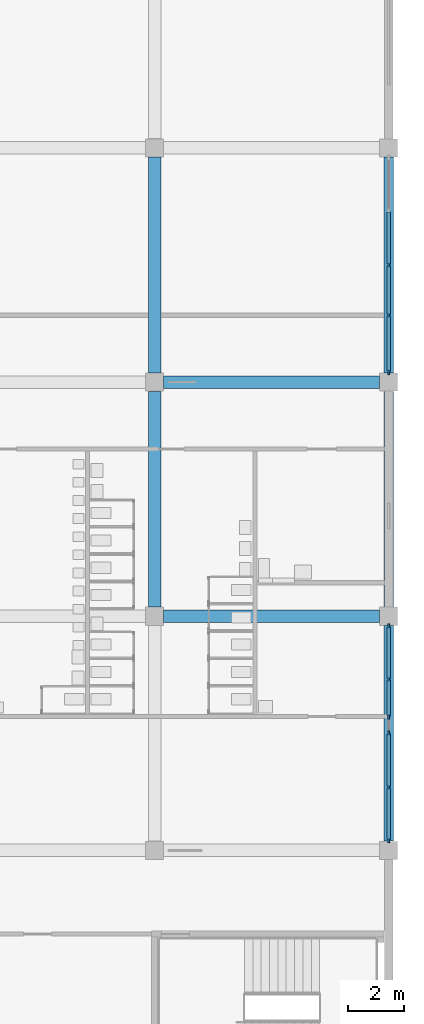
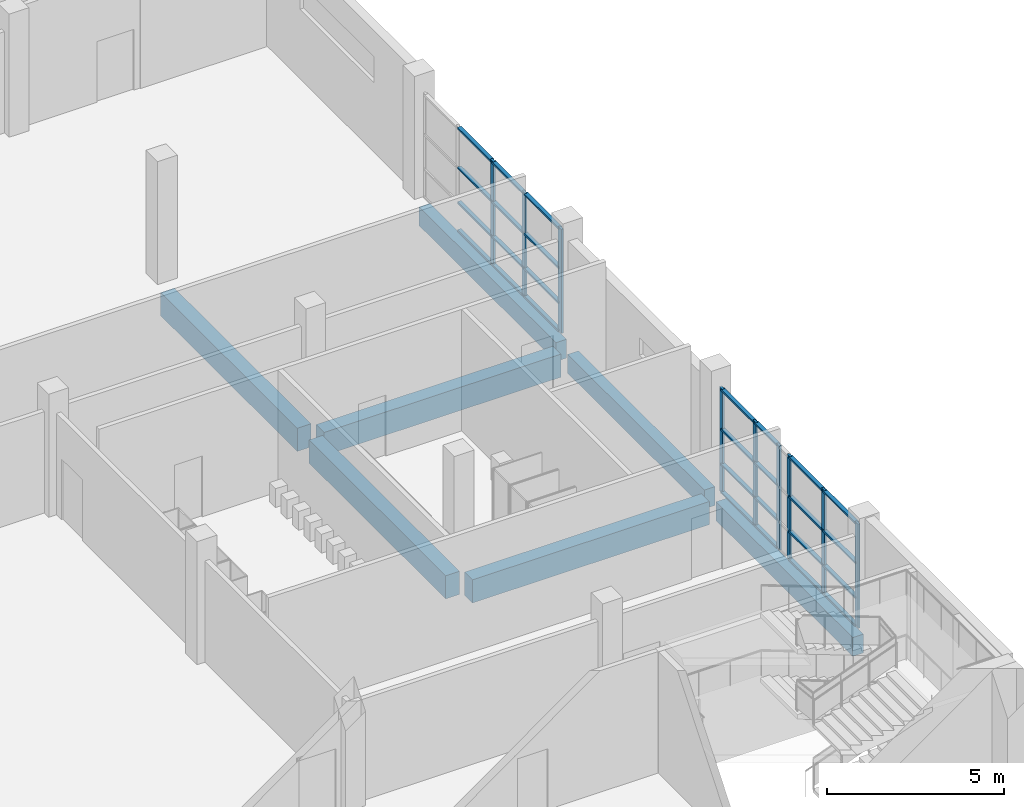
# One storey, part 7 of 64: 37 members, 7 beams, 2 elements without a shape of their own.
"""IFC4 building model written with IfcOpenShell, lengths in metres."""

from ifc_helpers import new_model, si_unit, direction, frame, origin, origin_2d, place, context, subcontext, project, spatial, rectangle, extrude, material, layer, layer_set, material_profile, profile_set, type_object, element, aggregate, save


model = new_model("IFC4")

# Units and contexts
model_context = context("Model", 3, precision=1e-05, world=origin(), true_north=direction((0.0, 1.0)))
body_context = subcontext(model_context, "Body", "Model", "MODEL_VIEW")
ifc_project = project(units=[si_unit("LENGTHUNIT", "METRE"), si_unit("AREAUNIT", "SQUARE_METRE"), si_unit("VOLUMEUNIT", "CUBIC_METRE"), si_unit("PLANEANGLEUNIT", "RADIAN"), si_unit("MASSUNIT", "GRAM", prefix="KILO")], contexts=[model_context])

# Site, building, storey
site_placement = place(None, origin())
site = spatial("IfcSite", under=ifc_project, at=site_placement, CompositionType="ELEMENT")
building_placement = place(site_placement, origin())
building = spatial("IfcBuilding", under=site, at=building_placement, Name="Rulbaag Community and Learning Centre", CompositionType="ELEMENT")
storey_placement = place(building_placement, frame((0.0, 0.0, 5.39990234375)))
storey = spatial("IfcBuildingStorey", under=building, at=storey_placement, Name="L01", CompositionType="ELEMENT", Elevation=5.39990234375)

# Beams
ifc_material_1 = material(Name="Concrete M40", Category="concrete")
ifc_material_profile_1 = material_profile(ifc_material_1, rectangle(XDim=0.449951171875, YDim=0.800048828125, at=origin_2d()), Name="RB450x800")
ifc_profile_set_1 = profile_set([ifc_material_profile_1], Name="Concrete M40")
beam_type_1 = type_object("IfcBeamType", Name="B21 Library floor beam 450x800 Concrete M40", PredefinedType="BEAM", material=ifc_profile_set_1)
beam_1_placement = place(storey_placement, frame((159.929931640625, 16.800048828125, -0.699951171875), z_axis=(1.0, 0.0, 0.0), x_axis=(0.0, 1.0, 0.0)))
element("IfcBeam", 1, at=beam_1_placement, inside=storey, type_object=beam_type_1, Name="BM-L01-20C-21C", PredefinedType="BEAM", context=body_context, shape_type="SweptSolid", body=[
    extrude(rectangle(XDim=0.449951171875, YDim=0.800048828125, at=origin_2d()), origin(), (0.0, 0.0, 1.0), 7.739990234375),
])
beam_2_placement = place(storey_placement, frame((159.60009765625, 17.1298828125, -0.699951171875), z_axis=(0.0, 1.0, 0.0), x_axis=(-1.0, 0.0, 0.0)))
element("IfcBeam", 2, at=beam_2_placement, inside=storey, type_object=beam_type_1, Name="BM-L01-20C-20D", PredefinedType="BEAM", context=body_context, shape_type="SweptSolid", body=[
    extrude(rectangle(XDim=0.449951171875, YDim=0.800048828125, at=origin_2d()), origin(), (0.0, 0.0, 1.0), 7.740234375),
])
for number, where, z_axis, x_axis, name in (
    (3, (159.929931640625, 25.199951171875, -0.699951171875), (1.0, 0.0, 0.0), (0.0, 1.0, 0.0), "BM-L01-20D-21D"),
    (4, (159.60009765625, 25.530029296875, -0.699951171875), (0.0, 1.0, 0.0), (-1.0, 0.0, 0.0), "BM-L01-20D-20E"),
):
    element("IfcBeam", number, at=place(storey_placement, frame(where, z_axis=z_axis, x_axis=x_axis)), inside=storey, type_object=beam_type_1, Name=name, PredefinedType="BEAM", context=body_context, shape_type="SweptSolid", body=[
        extrude(rectangle(XDim=0.449951171875, YDim=0.800048828125, at=origin_2d()), origin(), (0.0, 0.0, 1.0), 7.739990234375),
    ])
ifc_material_profile_2 = material_profile(ifc_material_1, rectangle(XDim=0.35009765625, YDim=0.64990234375, at=origin_2d()), Name="RB350x650")
ifc_profile_set_2 = profile_set([ifc_material_profile_2], Name="Concrete M40")
beam_type_2 = type_object("IfcBeamType", Name="B8 Hall wing edge beam 350x650 Concrete M40", PredefinedType="BEAM", material=ifc_profile_set_2)
beam_3_placement = place(storey_placement, frame((168.0, 8.72998046875, -0.625), z_axis=(0.0, 1.0, 0.0), x_axis=(-1.0, 0.0, 0.0)))
element("IfcBeam", 5, at=beam_3_placement, inside=storey, type_object=beam_type_2, Name="BM-L01-21B-21C", PredefinedType="BEAM", context=body_context, shape_type="SweptSolid", body=[
    extrude(rectangle(XDim=0.35009765625, YDim=0.64990234375, at=origin_2d()), origin(), (0.0, 0.0, 1.0), 7.739990234375),
])
beam_4_placement = place(storey_placement, frame((168.0, 17.1298828125, -0.625), z_axis=(0.0, 1.0, 0.0), x_axis=(-1.0, 0.0, 0.0)))
element("IfcBeam", 6, at=beam_4_placement, inside=storey, type_object=beam_type_2, Name="BM-L01-21C-21D", PredefinedType="BEAM", context=body_context, shape_type="SweptSolid", body=[
    extrude(rectangle(XDim=0.35009765625, YDim=0.64990234375, at=origin_2d()), origin(), (0.0, 0.0, 1.0), 7.740234375),
])
beam_5_placement = place(storey_placement, frame((168.0, 25.530029296875, -0.625), z_axis=(0.0, 1.0, 0.0), x_axis=(-1.0, 0.0, 0.0)))
element("IfcBeam", 7, at=beam_5_placement, inside=storey, type_object=beam_type_2, Name="BM-L01-21D-21E", PredefinedType="BEAM", context=body_context, shape_type="SweptSolid", body=[
    extrude(rectangle(XDim=0.35009765625, YDim=0.64990234375, at=origin_2d()), origin(), (0.0, 0.0, 1.0), 7.739990234375),
])

# Curtain wall, members
ifc_material_2 = material(Name="Aluminium", Category="aluminium")
ifc_layer = layer(ifc_material_2, 0.14990234375)
ifc_layer_set = layer_set([ifc_layer], Name="CW-L")
curtain_wall_type = type_object("IfcCurtainWallType", Name="CW-L", PredefinedType="USERDEFINED", material=ifc_layer_set)
curtain_wall_1_placement = place(storey_placement, origin())
curtain_wall_1 = element("IfcCurtainWall", 8, at=curtain_wall_1_placement, inside=storey, type_object=curtain_wall_type, Name="GL-L01-08", ObjectType="STICK CURTAIN WALL", PredefinedType="USERDEFINED")
ifc_material_3 = material(Name="Aluminium mullion", Category="aluminium")
ifc_material_profile_3 = material_profile(ifc_material_3, rectangle(XDim=0.06494140625, YDim=0.175048828125, at=origin_2d()), Name="AL 65x175")
ifc_profile_set_3 = profile_set([ifc_material_profile_3], Name="Aluminium mullion")
member_type_1 = type_object("IfcMemberType", Name="CW-L-MUL", PredefinedType="MULLION", material=ifc_profile_set_3)
member_1_placement = place(storey_placement, frame((168.0, 8.757568359375, 0.0), z_axis=(0.0, 0.0, 1.0), x_axis=(-1.0, 0.0, 0.0)))
member_1 = element("IfcMember", 9, at=member_1_placement, type_object=member_type_1, Name="GL mullion 1", PredefinedType="MULLION", context=body_context, shape_type="SweptSolid", body=[
    extrude(rectangle(XDim=0.06494140625, YDim=0.175048828125, at=origin_2d()), origin(), (0.0, 0.0, 1.0), 3.60009765625),
])
member_2_placement = place(storey_placement, frame((168.0, 10.66259765625, 0.0), z_axis=(0.0, 0.0, 1.0), x_axis=(-1.0, 0.0, 0.0)))
member_2 = element("IfcMember", 10, at=member_2_placement, type_object=member_type_1, Name="GL mullion 2", PredefinedType="MULLION", context=body_context, shape_type="SweptSolid", body=[
    extrude(rectangle(XDim=0.06494140625, YDim=0.175048828125, at=origin_2d()), origin(), (0.0, 0.0, 1.0), 3.60009765625),
])
member_3_placement = place(storey_placement, frame((168.0, 12.60009765625, 0.0), z_axis=(0.0, 0.0, 1.0), x_axis=(-1.0, 0.0, 0.0)))
member_3 = element("IfcMember", 11, at=member_3_placement, type_object=member_type_1, Name="GL mullion 3", PredefinedType="MULLION", context=body_context, shape_type="SweptSolid", body=[
    extrude(rectangle(XDim=0.06494140625, YDim=0.175048828125, at=origin_2d()), origin(), (0.0, 0.0, 1.0), 3.60009765625),
])
member_4_placement = place(storey_placement, frame((168.0, 13.199951171875, 0.0), z_axis=(0.0, 0.0, 1.0), x_axis=(-1.0, 0.0, 0.0)))
member_4 = element("IfcMember", 12, at=member_4_placement, type_object=member_type_1, Name="GL mullion 4", PredefinedType="MULLION", context=body_context, shape_type="SweptSolid", body=[
    extrude(rectangle(XDim=0.06494140625, YDim=0.175048828125, at=origin_2d()), origin(), (0.0, 0.0, 1.0), 3.60009765625),
])
member_5_placement = place(storey_placement, frame((168.0, 14.53759765625, 0.0), z_axis=(0.0, 0.0, 1.0), x_axis=(-1.0, 0.0, 0.0)))
member_5 = element("IfcMember", 13, at=member_5_placement, type_object=member_type_1, Name="GL mullion 5", PredefinedType="MULLION", context=body_context, shape_type="SweptSolid", body=[
    extrude(rectangle(XDim=0.06494140625, YDim=0.175048828125, at=origin_2d()), origin(), (0.0, 0.0, 1.0), 3.60009765625),
])
member_6_placement = place(storey_placement, frame((168.0, 16.4423828125, 0.0), z_axis=(0.0, 0.0, 1.0), x_axis=(-1.0, 0.0, 0.0)))
member_6 = element("IfcMember", 14, at=member_6_placement, type_object=member_type_1, Name="GL mullion 6", PredefinedType="MULLION", context=body_context, shape_type="SweptSolid", body=[
    extrude(rectangle(XDim=0.06494140625, YDim=0.175048828125, at=origin_2d()), origin(), (0.0, 0.0, 1.0), 3.60009765625),
])

curtain_wall_2_placement = place(storey_placement, origin())
curtain_wall_2 = element("IfcCurtainWall", 15, at=curtain_wall_2_placement, inside=storey, type_object=curtain_wall_type, Name="GL-L01-09", ObjectType="STICK CURTAIN WALL", PredefinedType="USERDEFINED")
member_7_placement = place(storey_placement, frame((168.0, 25.5576171875, 0.0), z_axis=(0.0, 0.0, 1.0), x_axis=(-1.0, 0.0, 0.0)))
member_7 = element("IfcMember", 16, at=member_7_placement, type_object=member_type_1, Name="GL mullion 1", PredefinedType="MULLION", context=body_context, shape_type="SweptSolid", body=[
    extrude(rectangle(XDim=0.06494140625, YDim=0.175048828125, at=origin_2d()), origin(), (0.0, 0.0, 1.0), 3.60009765625),
])
member_8_placement = place(storey_placement, frame((168.0, 27.60009765625, 0.0), z_axis=(0.0, 0.0, 1.0), x_axis=(-1.0, 0.0, 0.0)))
member_8 = element("IfcMember", 17, at=member_8_placement, type_object=member_type_1, Name="GL mullion 2", PredefinedType="MULLION", context=body_context, shape_type="SweptSolid", body=[
    extrude(rectangle(XDim=0.06494140625, YDim=0.175048828125, at=origin_2d()), origin(), (0.0, 0.0, 1.0), 3.60009765625),
])
member_9_placement = place(storey_placement, frame((168.0, 29.39990234375, 0.0), z_axis=(0.0, 0.0, 1.0), x_axis=(-1.0, 0.0, 0.0)))
member_9 = element("IfcMember", 18, at=member_9_placement, type_object=member_type_1, Name="GL mullion 3", PredefinedType="MULLION", context=body_context, shape_type="SweptSolid", body=[
    extrude(rectangle(XDim=0.06494140625, YDim=0.175048828125, at=origin_2d()), origin(), (0.0, 0.0, 1.0), 3.60009765625),
])

# Member
ifc_material_4 = material(Name="Aluminium transom", Category="aluminium")
ifc_material_profile_4 = material_profile(ifc_material_4, rectangle(XDim=0.125, YDim=0.06494140625, at=origin_2d()), Name="AL 65x125 T")
ifc_profile_set_4 = profile_set([ifc_material_profile_4], Name="Aluminium transom")
member_type_2 = type_object("IfcMemberType", Name="CW-L-TRN", PredefinedType="USERDEFINED", material=ifc_profile_set_4)
member_10_placement = place(storey_placement, frame((168.0, 8.7900390625, 0.03271484375), z_axis=(0.0, 1.0, 0.0), x_axis=(-1.0, 0.0, 0.0)))
member_10 = element("IfcMember", 19, at=member_10_placement, type_object=member_type_2, Name="GL transom 1.1", ObjectType="TRANSOM", PredefinedType="USERDEFINED", context=body_context, shape_type="SweptSolid", body=[
    extrude(rectangle(XDim=0.125, YDim=0.06494140625, at=origin_2d()), origin(), (0.0, 0.0, 1.0), 1.83984375),
])

member_11_placement = place(storey_placement, frame((168.0, 8.7900390625, 1.0), z_axis=(0.0, 1.0, 0.0), x_axis=(-1.0, 0.0, 0.0)))
member_11 = element("IfcMember", 20, at=member_11_placement, type_object=member_type_2, Name="GL transom 1.2", ObjectType="TRANSOM", PredefinedType="USERDEFINED", context=body_context, shape_type="SweptSolid", body=[
    extrude(rectangle(XDim=0.125, YDim=0.06494140625, at=origin_2d()), origin(), (0.0, 0.0, 1.0), 1.83984375),
])

member_12_placement = place(storey_placement, frame((168.0, 8.7900390625, 2.2001953125), z_axis=(0.0, 1.0, 0.0), x_axis=(-1.0, 0.0, 0.0)))
member_12 = element("IfcMember", 21, at=member_12_placement, type_object=member_type_2, Name="GL transom 1.3", ObjectType="TRANSOM", PredefinedType="USERDEFINED", context=body_context, shape_type="SweptSolid", body=[
    extrude(rectangle(XDim=0.125, YDim=0.06494140625, at=origin_2d()), origin(), (0.0, 0.0, 1.0), 1.83984375),
])

member_13_placement = place(storey_placement, frame((168.0, 8.7900390625, 3.567626953125), z_axis=(0.0, 1.0, 0.0), x_axis=(-1.0, 0.0, 0.0)))
member_13 = element("IfcMember", 22, at=member_13_placement, type_object=member_type_2, Name="GL transom 1.4", ObjectType="TRANSOM", PredefinedType="USERDEFINED", context=body_context, shape_type="SweptSolid", body=[
    extrude(rectangle(XDim=0.125, YDim=0.06494140625, at=origin_2d()), origin(), (0.0, 0.0, 1.0), 1.83984375),
])

member_14_placement = place(storey_placement, frame((168.0, 10.695068359375, 0.03271484375), z_axis=(0.0, 1.0, 0.0), x_axis=(-1.0, 0.0, 0.0)))
member_14 = element("IfcMember", 23, at=member_14_placement, type_object=member_type_2, Name="GL transom 2.1", ObjectType="TRANSOM", PredefinedType="USERDEFINED", context=body_context, shape_type="SweptSolid", body=[
    extrude(rectangle(XDim=0.125, YDim=0.06494140625, at=origin_2d()), origin(), (0.0, 0.0, 1.0), 1.872314453125),
])

member_15_placement = place(storey_placement, frame((168.0, 10.695068359375, 1.0), z_axis=(0.0, 1.0, 0.0), x_axis=(-1.0, 0.0, 0.0)))
member_15 = element("IfcMember", 24, at=member_15_placement, type_object=member_type_2, Name="GL transom 2.2", ObjectType="TRANSOM", PredefinedType="USERDEFINED", context=body_context, shape_type="SweptSolid", body=[
    extrude(rectangle(XDim=0.125, YDim=0.06494140625, at=origin_2d()), origin(), (0.0, 0.0, 1.0), 1.872314453125),
])

member_16_placement = place(storey_placement, frame((168.0, 10.695068359375, 2.2001953125), z_axis=(0.0, 1.0, 0.0), x_axis=(-1.0, 0.0, 0.0)))
member_16 = element("IfcMember", 25, at=member_16_placement, type_object=member_type_2, Name="GL transom 2.3", ObjectType="TRANSOM", PredefinedType="USERDEFINED", context=body_context, shape_type="SweptSolid", body=[
    extrude(rectangle(XDim=0.125, YDim=0.06494140625, at=origin_2d()), origin(), (0.0, 0.0, 1.0), 1.872314453125),
])

member_17_placement = place(storey_placement, frame((168.0, 10.695068359375, 3.567626953125), z_axis=(0.0, 1.0, 0.0), x_axis=(-1.0, 0.0, 0.0)))
member_17 = element("IfcMember", 26, at=member_17_placement, type_object=member_type_2, Name="GL transom 2.4", ObjectType="TRANSOM", PredefinedType="USERDEFINED", context=body_context, shape_type="SweptSolid", body=[
    extrude(rectangle(XDim=0.125, YDim=0.06494140625, at=origin_2d()), origin(), (0.0, 0.0, 1.0), 1.872314453125),
])

member_18_placement = place(storey_placement, frame((168.0, 13.232421875, 0.03271484375), z_axis=(0.0, 1.0, 0.0), x_axis=(-1.0, 0.0, 0.0)))
member_18 = element("IfcMember", 27, at=member_18_placement, type_object=member_type_2, Name="GL transom 4.1", ObjectType="TRANSOM", PredefinedType="USERDEFINED", context=body_context, shape_type="SweptSolid", body=[
    extrude(rectangle(XDim=0.125, YDim=0.06494140625, at=origin_2d()), origin(), (0.0, 0.0, 1.0), 1.2724609375),
])

member_19_placement = place(storey_placement, frame((168.0, 13.232421875, 1.0), z_axis=(0.0, 1.0, 0.0), x_axis=(-1.0, 0.0, 0.0)))
member_19 = element("IfcMember", 28, at=member_19_placement, type_object=member_type_2, Name="GL transom 4.2", ObjectType="TRANSOM", PredefinedType="USERDEFINED", context=body_context, shape_type="SweptSolid", body=[
    extrude(rectangle(XDim=0.125, YDim=0.06494140625, at=origin_2d()), origin(), (0.0, 0.0, 1.0), 1.2724609375),
])

member_20_placement = place(storey_placement, frame((168.0, 13.232421875, 2.2001953125), z_axis=(0.0, 1.0, 0.0), x_axis=(-1.0, 0.0, 0.0)))
member_20 = element("IfcMember", 29, at=member_20_placement, type_object=member_type_2, Name="GL transom 4.3", ObjectType="TRANSOM", PredefinedType="USERDEFINED", context=body_context, shape_type="SweptSolid", body=[
    extrude(rectangle(XDim=0.125, YDim=0.06494140625, at=origin_2d()), origin(), (0.0, 0.0, 1.0), 1.2724609375),
])

member_21_placement = place(storey_placement, frame((168.0, 13.232421875, 3.567626953125), z_axis=(0.0, 1.0, 0.0), x_axis=(-1.0, 0.0, 0.0)))
member_21 = element("IfcMember", 30, at=member_21_placement, type_object=member_type_2, Name="GL transom 4.4", ObjectType="TRANSOM", PredefinedType="USERDEFINED", context=body_context, shape_type="SweptSolid", body=[
    extrude(rectangle(XDim=0.125, YDim=0.06494140625, at=origin_2d()), origin(), (0.0, 0.0, 1.0), 1.2724609375),
])

member_22_placement = place(storey_placement, frame((168.0, 14.570068359375, 0.03271484375), z_axis=(0.0, 1.0, 0.0), x_axis=(-1.0, 0.0, 0.0)))
member_22 = element("IfcMember", 31, at=member_22_placement, type_object=member_type_2, Name="GL transom 5.1", ObjectType="TRANSOM", PredefinedType="USERDEFINED", context=body_context, shape_type="SweptSolid", body=[
    extrude(rectangle(XDim=0.125, YDim=0.06494140625, at=origin_2d()), origin(), (0.0, 0.0, 1.0), 1.83984375),
])

member_23_placement = place(storey_placement, frame((168.0, 14.570068359375, 1.0), z_axis=(0.0, 1.0, 0.0), x_axis=(-1.0, 0.0, 0.0)))
member_23 = element("IfcMember", 32, at=member_23_placement, type_object=member_type_2, Name="GL transom 5.2", ObjectType="TRANSOM", PredefinedType="USERDEFINED", context=body_context, shape_type="SweptSolid", body=[
    extrude(rectangle(XDim=0.125, YDim=0.06494140625, at=origin_2d()), origin(), (0.0, 0.0, 1.0), 1.83984375),
])

member_24_placement = place(storey_placement, frame((168.0, 14.570068359375, 2.2001953125), z_axis=(0.0, 1.0, 0.0), x_axis=(-1.0, 0.0, 0.0)))
member_24 = element("IfcMember", 33, at=member_24_placement, type_object=member_type_2, Name="GL transom 5.3", ObjectType="TRANSOM", PredefinedType="USERDEFINED", context=body_context, shape_type="SweptSolid", body=[
    extrude(rectangle(XDim=0.125, YDim=0.06494140625, at=origin_2d()), origin(), (0.0, 0.0, 1.0), 1.83984375),
])

member_25_placement = place(storey_placement, frame((168.0, 14.570068359375, 3.567626953125), z_axis=(0.0, 1.0, 0.0), x_axis=(-1.0, 0.0, 0.0)))
member_25 = element("IfcMember", 34, at=member_25_placement, type_object=member_type_2, Name="GL transom 5.4", ObjectType="TRANSOM", PredefinedType="USERDEFINED", context=body_context, shape_type="SweptSolid", body=[
    extrude(rectangle(XDim=0.125, YDim=0.06494140625, at=origin_2d()), origin(), (0.0, 0.0, 1.0), 1.83984375),
])

aggregate(curtain_wall_1, [member_1, member_2, member_3, member_4, member_5, member_6, member_10, member_11, member_12, member_13, member_14, member_15, member_16, member_17, member_18, member_19, member_20, member_21, member_22, member_23, member_24, member_25])

member_26_placement = place(storey_placement, frame((168.0, 25.590087890625, 0.03271484375), z_axis=(0.0, 1.0, 0.0), x_axis=(-1.0, 0.0, 0.0)))
member_26 = element("IfcMember", 35, at=member_26_placement, type_object=member_type_2, Name="GL transom 1.1", ObjectType="TRANSOM", PredefinedType="USERDEFINED", context=body_context, shape_type="SweptSolid", body=[
    extrude(rectangle(XDim=0.125, YDim=0.06494140625, at=origin_2d()), origin(), (0.0, 0.0, 1.0), 1.977294921875),
])

member_27_placement = place(storey_placement, frame((168.0, 25.590087890625, 1.0), z_axis=(0.0, 1.0, 0.0), x_axis=(-1.0, 0.0, 0.0)))
member_27 = element("IfcMember", 36, at=member_27_placement, type_object=member_type_2, Name="GL transom 1.2", ObjectType="TRANSOM", PredefinedType="USERDEFINED", context=body_context, shape_type="SweptSolid", body=[
    extrude(rectangle(XDim=0.125, YDim=0.06494140625, at=origin_2d()), origin(), (0.0, 0.0, 1.0), 1.977294921875),
])

member_28_placement = place(storey_placement, frame((168.0, 25.590087890625, 2.2001953125), z_axis=(0.0, 1.0, 0.0), x_axis=(-1.0, 0.0, 0.0)))
member_28 = element("IfcMember", 37, at=member_28_placement, type_object=member_type_2, Name="GL transom 1.3", ObjectType="TRANSOM", PredefinedType="USERDEFINED", context=body_context, shape_type="SweptSolid", body=[
    extrude(rectangle(XDim=0.125, YDim=0.06494140625, at=origin_2d()), origin(), (0.0, 0.0, 1.0), 1.977294921875),
])

member_29_placement = place(storey_placement, frame((168.0, 25.590087890625, 3.567626953125), z_axis=(0.0, 1.0, 0.0), x_axis=(-1.0, 0.0, 0.0)))
member_29 = element("IfcMember", 38, at=member_29_placement, type_object=member_type_2, Name="GL transom 1.4", ObjectType="TRANSOM", PredefinedType="USERDEFINED", context=body_context, shape_type="SweptSolid", body=[
    extrude(rectangle(XDim=0.125, YDim=0.06494140625, at=origin_2d()), origin(), (0.0, 0.0, 1.0), 1.977294921875),
])

member_30_placement = place(storey_placement, frame((168.0, 27.632568359375, 0.03271484375), z_axis=(0.0, 1.0, 0.0), x_axis=(-1.0, 0.0, 0.0)))
member_30 = element("IfcMember", 39, at=member_30_placement, type_object=member_type_2, Name="GL transom 2.1", ObjectType="TRANSOM", PredefinedType="USERDEFINED", context=body_context, shape_type="SweptSolid", body=[
    extrude(rectangle(XDim=0.125, YDim=0.06494140625, at=origin_2d()), origin(), (0.0, 0.0, 1.0), 1.73486328125),
])

member_31_placement = place(storey_placement, frame((168.0, 27.632568359375, 1.0), z_axis=(0.0, 1.0, 0.0), x_axis=(-1.0, 0.0, 0.0)))
member_31 = element("IfcMember", 40, at=member_31_placement, type_object=member_type_2, Name="GL transom 2.2", ObjectType="TRANSOM", PredefinedType="USERDEFINED", context=body_context, shape_type="SweptSolid", body=[
    extrude(rectangle(XDim=0.125, YDim=0.06494140625, at=origin_2d()), origin(), (0.0, 0.0, 1.0), 1.73486328125),
])

member_32_placement = place(storey_placement, frame((168.0, 27.632568359375, 2.2001953125), z_axis=(0.0, 1.0, 0.0), x_axis=(-1.0, 0.0, 0.0)))
member_32 = element("IfcMember", 41, at=member_32_placement, type_object=member_type_2, Name="GL transom 2.3", ObjectType="TRANSOM", PredefinedType="USERDEFINED", context=body_context, shape_type="SweptSolid", body=[
    extrude(rectangle(XDim=0.125, YDim=0.06494140625, at=origin_2d()), origin(), (0.0, 0.0, 1.0), 1.73486328125),
])

member_33_placement = place(storey_placement, frame((168.0, 27.632568359375, 3.567626953125), z_axis=(0.0, 1.0, 0.0), x_axis=(-1.0, 0.0, 0.0)))
member_33 = element("IfcMember", 42, at=member_33_placement, type_object=member_type_2, Name="GL transom 2.4", ObjectType="TRANSOM", PredefinedType="USERDEFINED", context=body_context, shape_type="SweptSolid", body=[
    extrude(rectangle(XDim=0.125, YDim=0.06494140625, at=origin_2d()), origin(), (0.0, 0.0, 1.0), 1.73486328125),
])

member_34_placement = place(storey_placement, frame((168.0, 29.4326171875, 0.03271484375), z_axis=(0.0, 1.0, 0.0), x_axis=(-1.0, 0.0, 0.0)))
member_34 = element("IfcMember", 43, at=member_34_placement, type_object=member_type_2, Name="GL transom 3.1", ObjectType="TRANSOM", PredefinedType="USERDEFINED", context=body_context, shape_type="SweptSolid", body=[
    extrude(rectangle(XDim=0.125, YDim=0.06494140625, at=origin_2d()), origin(), (0.0, 0.0, 1.0), 1.872314453125),
])

member_35_placement = place(storey_placement, frame((168.0, 29.4326171875, 1.0), z_axis=(0.0, 1.0, 0.0), x_axis=(-1.0, 0.0, 0.0)))
member_35 = element("IfcMember", 44, at=member_35_placement, type_object=member_type_2, Name="GL transom 3.2", ObjectType="TRANSOM", PredefinedType="USERDEFINED", context=body_context, shape_type="SweptSolid", body=[
    extrude(rectangle(XDim=0.125, YDim=0.06494140625, at=origin_2d()), origin(), (0.0, 0.0, 1.0), 1.872314453125),
])

member_36_placement = place(storey_placement, frame((168.0, 29.4326171875, 2.2001953125), z_axis=(0.0, 1.0, 0.0), x_axis=(-1.0, 0.0, 0.0)))
member_36 = element("IfcMember", 45, at=member_36_placement, type_object=member_type_2, Name="GL transom 3.3", ObjectType="TRANSOM", PredefinedType="USERDEFINED", context=body_context, shape_type="SweptSolid", body=[
    extrude(rectangle(XDim=0.125, YDim=0.06494140625, at=origin_2d()), origin(), (0.0, 0.0, 1.0), 1.872314453125),
])

member_37_placement = place(storey_placement, frame((168.0, 29.4326171875, 3.567626953125), z_axis=(0.0, 1.0, 0.0), x_axis=(-1.0, 0.0, 0.0)))
member_37 = element("IfcMember", 46, at=member_37_placement, type_object=member_type_2, Name="GL transom 3.4", ObjectType="TRANSOM", PredefinedType="USERDEFINED", context=body_context, shape_type="SweptSolid", body=[
    extrude(rectangle(XDim=0.125, YDim=0.06494140625, at=origin_2d()), origin(), (0.0, 0.0, 1.0), 1.872314453125),
])

aggregate(curtain_wall_2, [member_7, member_8, member_9, member_26, member_27, member_28, member_29, member_30, member_31, member_32, member_33, member_34, member_35, member_36, member_37])

save(model, "model.ifc")
